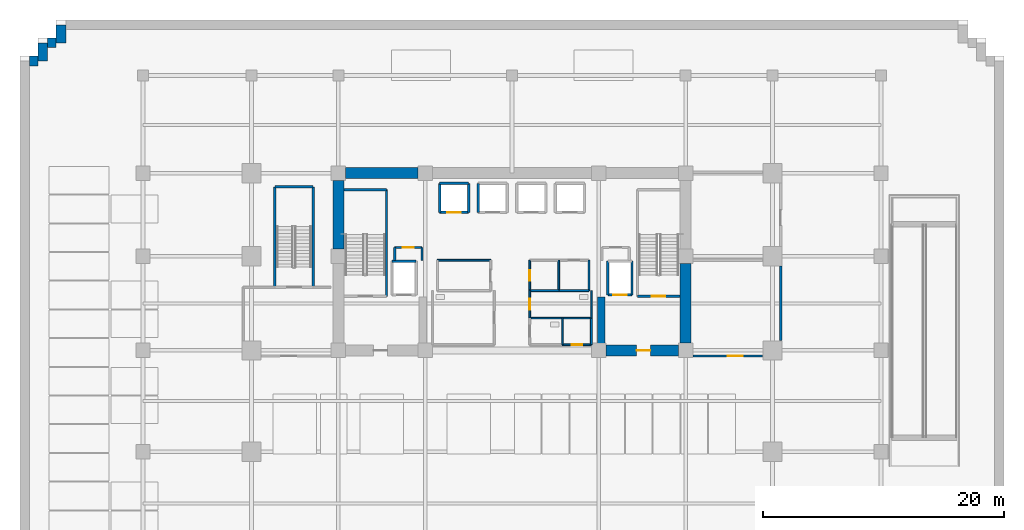
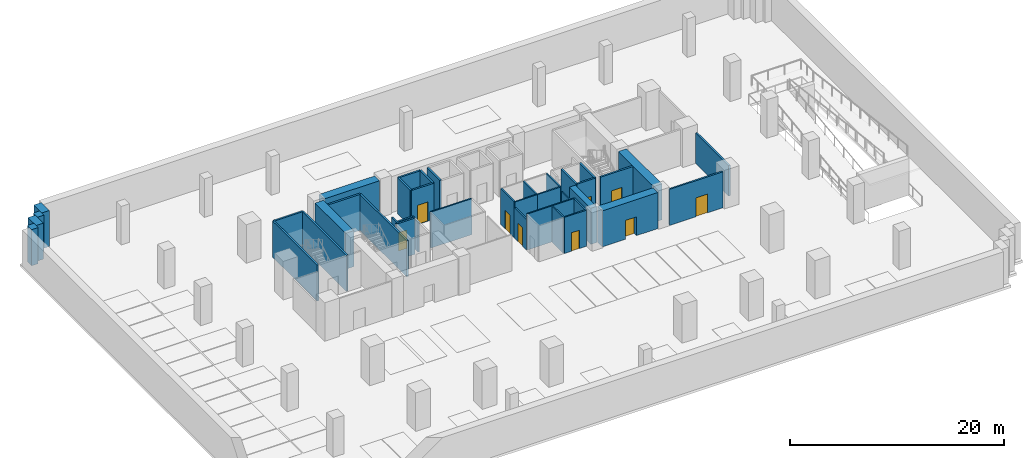
# One storey, part 4 of 13: 41 walls, 9 doors, 9 openings.
"""IFC4 building model written with IfcOpenShell, lengths in metres."""

from ifc_helpers import new_model, si_unit, direction, frame, frame_2d, origin, place, context, subcontext, project, spatial, rectangle, extrude, source, transform, mapped, material, layer, layer_set, type_object, element, fill, save


model = new_model("IFC4")

# Units and contexts
model_context = context("Model", 3, precision=1e-05, world=origin(), true_north=direction((0.0, 1.0)))
body_context = subcontext(model_context, "Body", "Model", "MODEL_VIEW")
ifc_project = project(units=[si_unit("LENGTHUNIT", "METRE"), si_unit("AREAUNIT", "SQUARE_METRE"), si_unit("VOLUMEUNIT", "CUBIC_METRE"), si_unit("PLANEANGLEUNIT", "RADIAN"), si_unit("MASSUNIT", "GRAM", prefix="KILO")], contexts=[model_context])

# Site, building, storey
site_placement = place(None, origin())
site = spatial("IfcSite", under=ifc_project, at=site_placement, CompositionType="ELEMENT")
building_placement = place(site_placement, origin())
building = spatial("IfcBuilding", under=site, at=building_placement, Name="Zarnakvel Exchange Tower", CompositionType="ELEMENT")
storey_placement = place(building_placement, frame((0.0, 0.0, -8.800048828125)))
storey = spatial("IfcBuildingStorey", under=building, at=storey_placement, Name="B02", CompositionType="ELEMENT", Elevation=-8.800048828125)

# Walls
ifc_material_1 = material(Name="Concrete C80/95", Category="concrete")
ifc_layer_1 = layer(ifc_material_1, 0.89990234375)
ifc_layer_set_1 = layer_set([ifc_layer_1], Name="Concrete C80/95")
wall_type_1 = type_object("IfcWallType", Name="CW-C1", PredefinedType="SHEAR", material=ifc_layer_set_1)
wall_1_placement = place(storey_placement, frame((-13.800048828125, 13.5, 0.0), z_axis=(0.0, 0.0, 1.0), x_axis=(1.0, 0.0, 0.0)))
element("IfcWall", 1, at=wall_1_placement, inside=storey, type_object=wall_type_1, Name="B02 Rear Core Shear Wall N1 (CW-C1)", PredefinedType="SHEAR", context=body_context, shape_type="SweptSolid", body=[
    extrude(rectangle(XDim=6.0, YDim=0.89990234375, at=frame_2d((3.0, 0.0))), origin(), (0.0, 0.0, 1.0), 4.1201171875),
])
wall_2_placement = place(storey_placement, frame((-14.39990234375, 7.199951171875, 0.0), z_axis=(0.0, 0.0, 1.0), x_axis=(0.0, 1.0, 0.0)))
element("IfcWall", 2, at=wall_2_placement, inside=storey, type_object=wall_type_1, Name="B02 Rear Core Shear Wall W2 (CW-C1)", PredefinedType="SHEAR", context=body_context, shape_type="SweptSolid", body=[
    extrude(rectangle(XDim=5.699951171875, YDim=0.89990234375, at=frame_2d((2.85009765625, 0.0))), origin(), (0.0, 0.0, 1.0), 4.1201171875),
])
wall_3_placement = place(storey_placement, frame((14.39990234375, -0.60009765625, 0.0), z_axis=(0.0, 0.0, 1.0), x_axis=(0.0, 1.0, 0.0)))
element("IfcWall", 3, at=wall_3_placement, inside=storey, type_object=wall_type_1, Name="B02 Rear Core Shear Wall E1 (CW-C1)", PredefinedType="SHEAR", context=body_context, shape_type="SweptSolid", body=[
    extrude(rectangle(XDim=6.60009765625, YDim=0.89990234375, at=frame_2d((3.300048828125, 0.0))), origin(), (0.0, 0.0, 1.0), 4.1201171875),
])

# Wall, opening, door
wall_4_placement = place(storey_placement, frame((13.800048828125, -1.199951171875, 0.0), z_axis=(0.0, 0.0, 1.0), x_axis=(-1.0, 0.0, 0.0)))
wall_4 = element("IfcWall", 4, at=wall_4_placement, inside=storey, type_object=wall_type_1, Name="B02 Rear Core Shear Wall SE (CW-C1)", PredefinedType="SHEAR", context=body_context, shape_type="SweptSolid", body=[
    extrude(rectangle(XDim=6.0, YDim=0.89990234375, at=frame_2d((3.0, 0.0))), origin(), (0.0, 0.0, 1.0), 4.1201171875),
])
opening_1_placement = place(wall_4_placement, frame((2.324951171875, 0.0, 0.0)))
opening_1 = element("IfcOpeningElement", 5, at=opening_1_placement, cuts=wall_4, Name="Opening D-B02-04", PredefinedType="OPENING", context=body_context, shape_type="SweptSolid", body=[
    extrude(rectangle(XDim=1.14990234375, YDim=2.14990234375, at=frame_2d((0.574951171875, 1.074951171875))), frame((0.0, 0.4599609375, 0.0), z_axis=(0.0, -1.0, 0.0), x_axis=(1.0, 0.0, 0.0)), (0.0, 0.0, 1.0), 0.919921875),
])
ifc_material_2 = material(Name="Painted Galvanised Steel S355", Category="steel")
door_type_1 = type_object("IfcDoorType", Name="DT-04", OperationType="NOTDEFINED", PredefinedType="DOOR", material=ifc_material_2)
shared_shape_1 = source(origin(), body_context, "Body", "SweptSolid", [
    extrude(rectangle(XDim=1.14990234375, YDim=2.14990234375, at=frame_2d((0.574951171875, 1.074951171875))), frame((0.0, 0.02490234375, 0.0), z_axis=(0.0, -1.0, 0.0), x_axis=(1.0, 0.0, 0.0)), (0.0, 0.0, 1.0), 0.050048828125),
])
door_1_placement = place(opening_1_placement, origin())
door_1 = element("IfcDoor", 6, at=door_1_placement, inside=storey, type_object=door_type_1, Name="B02 Firefighting Lobby East Door D-B02-04", OperationType="SINGLE_SWING_RIGHT", OverallHeight=2.14990234375, OverallWidth=1.14990234375, PredefinedType="DOOR", context=body_context, shape_type="MappedRepresentation", body=[
    mapped(shared_shape_1, transform((0.0, 0.0, 0.0), x_axis=(1.0, 0.0, 0.0), y_axis=(0.0, 1.0, 0.0), z_axis=(0.0, 0.0, 1.0), scale=1.0)),
])
fill(opening_1, door_1)

# Walls
ifc_layer_2 = layer(ifc_material_1, 0.64990234375)
ifc_layer_set_2 = layer_set([ifc_layer_2], Name="Concrete C80/95")
wall_type_2 = type_object("IfcWallType", Name="CW-C2", PredefinedType="SHEAR", material=ifc_layer_set_2)
wall_5_placement = place(storey_placement, frame((7.39990234375, -0.75, 0.0), z_axis=(0.0, 0.0, 1.0), x_axis=(0.0, 1.0, 0.0)))
element("IfcWall", 7, at=wall_5_placement, inside=storey, type_object=wall_type_2, Name="B02 Rear Core Shear Wall IE (CW-C2)", PredefinedType="SHEAR", context=body_context, shape_type="SweptSolid", body=[
    extrude(rectangle(XDim=4.0, YDim=0.64990234375, at=frame_2d((2.0, 0.0))), origin(), (0.0, 0.0, 1.0), 4.1201171875),
])
ifc_material_3 = material(Name="Fire-Rated Gypsum Stud Partition", Category="gypsum")
ifc_layer_3 = layer(ifc_material_3, 0.14990234375)
ifc_layer_set_3 = layer_set([ifc_layer_3], Name="Fire-Rated Gypsum Stud Partition")
wall_type_3 = type_object("IfcWallType", Name="PT-01", PredefinedType="PARTITIONING", material=ifc_layer_set_3)
wall_6_placement = place(storey_placement, frame((-6.179931640625, 6.280029296875, 0.0), z_axis=(0.0, 0.0, 1.0), x_axis=(1.0, 0.0, 0.0)))
element("IfcWall", 8, at=wall_6_placement, inside=storey, type_object=wall_type_3, Name="B02 Partition Wall PWALL-B02-014 (PT-01)", PredefinedType="PARTITIONING", context=body_context, shape_type="SweptSolid", body=[
    extrude(rectangle(XDim=4.409912109375, YDim=0.14990234375, at=frame_2d((2.205078125, 0.0))), origin(), (0.0, 0.0, 1.0), 4.1201171875),
])
wall_7_placement = place(storey_placement, frame((3.8798828125, 3.760009765625, 0.0), z_axis=(0.0, 0.0, 1.0), x_axis=(-1.0, 0.0, 0.0)))
element("IfcWall", 9, at=wall_7_placement, inside=storey, type_object=wall_type_3, Name="B02 Partition Wall PWALL-B02-017 (PT-01)", PredefinedType="PARTITIONING", context=body_context, shape_type="SweptSolid", body=[
    extrude(rectangle(XDim=2.409912109375, YDim=0.14990234375, at=frame_2d((1.205078125, 0.0))), origin(), (0.0, 0.0, 1.0), 4.1201171875),
])

# Wall, opening, door
wall_8_placement = place(storey_placement, frame((1.469970703125, 3.760009765625, 0.0), z_axis=(0.0, 0.0, 1.0), x_axis=(0.0, 1.0, 0.0)))
wall_8 = element("IfcWall", 10, at=wall_8_placement, inside=storey, type_object=wall_type_3, Name="B02 Partition Wall PWALL-B02-019 (PT-01)", PredefinedType="PARTITIONING", context=body_context, shape_type="SweptSolid", body=[
    extrude(rectangle(XDim=2.52001953125, YDim=0.14990234375, at=frame_2d((1.260009765625, 0.0))), origin(), (0.0, 0.0, 1.0), 4.1201171875),
])
opening_2_placement = place(wall_8_placement, frame((0.800048828125, 0.0, 0.0)))
opening_2 = element("IfcOpeningElement", 11, at=opening_2_placement, cuts=wall_8, Name="Opening D-B02-06", PredefinedType="OPENING", context=body_context, shape_type="SweptSolid", body=[
    extrude(rectangle(XDim=0.8798828125, YDim=2.10009765625, at=frame_2d((0.43994140625, 1.050048828125))), frame((0.0, 0.0849609375, 0.0), z_axis=(0.0, -1.0, 0.0), x_axis=(1.0, 0.0, 0.0)), (0.0, 0.0, 1.0), 0.169921875),
])
door_type_2 = type_object("IfcDoorType", Name="DT-08", OperationType="NOTDEFINED", PredefinedType="DOOR", material=ifc_material_2)
shared_shape_2 = source(origin(), body_context, "Body", "SweptSolid", [
    extrude(rectangle(XDim=0.8798828125, YDim=2.10009765625, at=frame_2d((0.43994140625, 1.050048828125))), frame((0.0, 0.02490234375, 0.0), z_axis=(0.0, -1.0, 0.0), x_axis=(1.0, 0.0, 0.0)), (0.0, 0.0, 1.0), 0.050048828125),
])
door_2_placement = place(opening_2_placement, origin())
door_2 = element("IfcDoor", 12, at=door_2_placement, inside=storey, type_object=door_type_2, Name="B02 Cleaners Store Door D-B02-06", OperationType="SINGLE_SWING_RIGHT", OverallHeight=2.10009765625, OverallWidth=0.8798828125, PredefinedType="DOOR", context=body_context, shape_type="MappedRepresentation", body=[
    mapped(shared_shape_2, transform((0.0, 0.0, 0.0), x_axis=(1.0, 0.0, 0.0), y_axis=(0.0, 1.0, 0.0), z_axis=(0.0, 0.0, 1.0), scale=1.0)),
])
fill(opening_2, door_2)

# Walls
wall_9_placement = place(storey_placement, frame((3.8798828125, 6.280029296875, 0.0), z_axis=(0.0, 0.0, 1.0), x_axis=(0.0, -1.0, 0.0)))
element("IfcWall", 13, at=wall_9_placement, inside=storey, type_object=wall_type_3, Name="B02 Partition Wall PWALL-B02-020 (PT-01)", PredefinedType="PARTITIONING", context=body_context, shape_type="SweptSolid", body=[
    extrude(rectangle(XDim=2.52001953125, YDim=0.14990234375, at=frame_2d((1.260009765625, 0.0))), origin(), (0.0, 0.0, 1.0), 4.1201171875),
])
wall_10_placement = place(storey_placement, frame((6.3798828125, 3.760009765625, 0.0), z_axis=(0.0, 0.0, 1.0), x_axis=(-1.0, 0.0, 0.0)))
element("IfcWall", 14, at=wall_10_placement, inside=storey, type_object=wall_type_3, Name="B02 Partition Wall PWALL-B02-021 (PT-01)", PredefinedType="PARTITIONING", context=body_context, shape_type="SweptSolid", body=[
    extrude(rectangle(XDim=2.5, YDim=0.14990234375, at=frame_2d((1.25, 0.0))), origin(), (0.0, 0.0, 1.0), 4.1201171875),
])
wall_11_placement = place(storey_placement, frame((6.3798828125, 6.280029296875, 0.0), z_axis=(0.0, 0.0, 1.0), x_axis=(0.0, -1.0, 0.0)))
element("IfcWall", 15, at=wall_11_placement, inside=storey, type_object=wall_type_3, Name="B02 Partition Wall PWALL-B02-023 (PT-01)", PredefinedType="PARTITIONING", context=body_context, shape_type="SweptSolid", body=[
    extrude(rectangle(XDim=2.52001953125, YDim=0.14990234375, at=frame_2d((1.260009765625, 0.0))), origin(), (0.0, 0.0, 1.0), 4.1201171875),
])

# Wall, opening, door
wall_12_placement = place(storey_placement, frame((6.580078125, -0.72998046875, 0.0), z_axis=(0.0, 0.0, 1.0), x_axis=(-1.0, 0.0, 0.0)))
wall_12 = element("IfcWall", 16, at=wall_12_placement, inside=storey, type_object=wall_type_3, Name="B02 Partition Wall PWALL-B02-033 (PT-01)", PredefinedType="PARTITIONING", context=body_context, shape_type="SweptSolid", body=[
    extrude(rectangle(XDim=2.400146484375, YDim=0.14990234375, at=frame_2d((1.2001953125, 0.0))), origin(), (0.0, 0.0, 1.0), 4.1201171875),
])
opening_3_placement = place(wall_12_placement, frame((0.760009765625, 0.0, 0.0)))
opening_3 = element("IfcOpeningElement", 17, at=opening_3_placement, cuts=wall_12, Name="Opening D-B02-11", PredefinedType="OPENING", context=body_context, shape_type="SweptSolid", body=[
    extrude(rectangle(XDim=0.8798828125, YDim=2.10009765625, at=frame_2d((0.43994140625, 1.050048828125))), frame((0.0, 0.0849609375, 0.0), z_axis=(0.0, -1.0, 0.0), x_axis=(1.0, 0.0, 0.0)), (0.0, 0.0, 1.0), 0.169921875),
])
door_3_placement = place(opening_3_placement, origin())
door_3 = element("IfcDoor", 18, at=door_3_placement, inside=storey, type_object=door_type_2, Name="B02 Cleaners Store Door D-B02-11", OperationType="SINGLE_SWING_LEFT", OverallHeight=2.10009765625, OverallWidth=0.8798828125, PredefinedType="DOOR", context=body_context, shape_type="MappedRepresentation", body=[
    mapped(shared_shape_2, transform((0.0, 0.0, 0.0), x_axis=(1.0, 0.0, 0.0), y_axis=(0.0, 1.0, 0.0), z_axis=(0.0, 0.0, 1.0), scale=1.0)),
])
fill(opening_3, door_3)

# Wall
wall_13_placement = place(storey_placement, frame((6.580078125, 1.47998046875, 0.0), z_axis=(0.0, 0.0, 1.0), x_axis=(0.0, -1.0, 0.0)))
element("IfcWall", 19, at=wall_13_placement, inside=storey, type_object=wall_type_3, Name="B02 Partition Wall PWALL-B02-034 (PT-01)", PredefinedType="PARTITIONING", context=body_context, shape_type="SweptSolid", body=[
    extrude(rectangle(XDim=2.2099609375, YDim=0.14990234375, at=frame_2d((1.10498046875, 0.0))), origin(), (0.0, 0.0, 1.0), 4.1201171875),
])

# Wall, opening, door
ifc_layer_4 = layer(ifc_material_3, 0.179931640625)
ifc_layer_set_4 = layer_set([ifc_layer_4], Name="Fire-Rated Gypsum Stud Partition")
wall_type_4 = type_object("IfcWallType", Name="PT-02", PredefinedType="PARTITIONING", material=ifc_layer_set_4)
wall_14_placement = place(storey_placement, frame((-9.72998046875, 7.330078125, 0.0), z_axis=(0.0, 0.0, 1.0), x_axis=(1.0, 0.0, 0.0)))
wall_14 = element("IfcWall", 20, at=wall_14_placement, inside=storey, type_object=wall_type_4, Name="B02 Partition Wall PWALL-B02-007 (PT-02)", PredefinedType="PARTITIONING", context=body_context, shape_type="SweptSolid", body=[
    extrude(rectangle(XDim=2.260009765625, YDim=0.179931640625, at=frame_2d((1.1298828125, 0.0))), origin(), (0.0, 0.0, 1.0), 3.41015625),
])
opening_4_placement = place(wall_14_placement, frame((0.68994140625, 0.0, 0.0)))
opening_4 = element("IfcOpeningElement", 21, at=opening_4_placement, cuts=wall_14, Name="Opening D-B02-16", PredefinedType="OPENING", context=body_context, shape_type="SweptSolid", body=[
    extrude(rectangle(XDim=0.8798828125, YDim=2.10009765625, at=frame_2d((0.43994140625, 1.050048828125))), frame((0.0, 0.099853515625, 0.0), z_axis=(0.0, -1.0, 0.0), x_axis=(1.0, 0.0, 0.0)), (0.0, 0.0, 1.0), 0.199951171875),
])
door_4_placement = place(opening_4_placement, origin())
door_4 = element("IfcDoor", 22, at=door_4_placement, inside=storey, type_object=door_type_2, Name="B02 Electrical Riser Door D-B02-16", OperationType="SINGLE_SWING_RIGHT", OverallHeight=2.10009765625, OverallWidth=0.8798828125, PredefinedType="DOOR", context=body_context, shape_type="MappedRepresentation", body=[
    mapped(shared_shape_2, transform((0.0, 0.0, 0.0), x_axis=(1.0, 0.0, 0.0), y_axis=(0.0, 1.0, 0.0), z_axis=(0.0, 0.0, 1.0), scale=1.0)),
])
fill(opening_4, door_4)

# Walls
wall_15_placement = place(storey_placement, frame((-9.72998046875, 6.239990234375, 0.0), z_axis=(0.0, 0.0, 1.0), x_axis=(0.0, 1.0, 0.0)))
element("IfcWall", 23, at=wall_15_placement, inside=storey, type_object=wall_type_4, Name="B02 Partition Wall PWALL-B02-008 (PT-02)", PredefinedType="PARTITIONING", context=body_context, shape_type="SweptSolid", body=[
    extrude(rectangle(XDim=1.090087890625, YDim=0.179931640625, at=frame_2d((0.544921875, 0.0))), origin(), (0.0, 0.0, 1.0), 4.1201171875),
])
wall_16_placement = place(storey_placement, frame((-7.469970703125, 7.330078125, 0.0), z_axis=(0.0, 0.0, 1.0), x_axis=(0.0, -1.0, 0.0)))
element("IfcWall", 24, at=wall_16_placement, inside=storey, type_object=wall_type_4, Name="B02 Partition Wall PWALL-B02-009 (PT-02)", PredefinedType="PARTITIONING", context=body_context, shape_type="SweptSolid", body=[
    extrude(rectangle(XDim=1.090087890625, YDim=0.179931640625, at=frame_2d((0.544921875, 0.0))), origin(), (0.0, 0.0, 1.0), 3.41015625),
])

# Wall, opening, door
wall_17_placement = place(storey_placement, frame((20.780029296875, -1.669921875, 0.0), z_axis=(0.0, 0.0, 1.0), x_axis=(-1.0, 0.0, 0.0)))
wall_17 = element("IfcWall", 25, at=wall_17_placement, inside=storey, type_object=wall_type_4, Name="B02 Partition Wall PWALL-B02-043 (PT-02)", PredefinedType="PARTITIONING", context=body_context, shape_type="SweptSolid", body=[
    extrude(rectangle(XDim=5.760009765625, YDim=0.179931640625, at=frame_2d((2.8798828125, 0.0))), origin(), (0.0, 0.0, 1.0), 4.1201171875),
])
opening_5_placement = place(wall_17_placement, frame((1.655029296875, 0.0, 0.0)))
opening_5 = element("IfcOpeningElement", 26, at=opening_5_placement, cuts=wall_17, Name="Opening D-B02-14", PredefinedType="OPENING", context=body_context, shape_type="SweptSolid", body=[
    extrude(rectangle(XDim=1.25, YDim=2.14990234375, at=frame_2d((0.625, 1.074951171875))), frame((0.0, 0.099853515625, 0.0), z_axis=(0.0, -1.0, 0.0), x_axis=(1.0, 0.0, 0.0)), (0.0, 0.0, 1.0), 0.199951171875),
])
door_type_3 = type_object("IfcDoorType", Name="DT-06", OperationType="NOTDEFINED", PredefinedType="DOOR", material=ifc_material_2)
shared_shape_3 = source(origin(), body_context, "Body", "SweptSolid", [
    extrude(rectangle(XDim=1.25, YDim=2.14990234375, at=frame_2d((0.625, 1.074951171875))), frame((0.0, 0.02490234375, 0.0), z_axis=(0.0, -1.0, 0.0), x_axis=(1.0, 0.0, 0.0)), (0.0, 0.0, 1.0), 0.050048828125),
])
door_5_placement = place(opening_5_placement, origin())
door_5 = element("IfcDoor", 27, at=door_5_placement, inside=storey, type_object=door_type_3, Name="B02 HV Transformer Substation Room Door D-B02-14", OperationType="SINGLE_SWING_RIGHT", OverallHeight=2.14990234375, OverallWidth=1.25, PredefinedType="DOOR", context=body_context, shape_type="MappedRepresentation", body=[
    mapped(shared_shape_3, transform((0.0, 0.0, 0.0), x_axis=(1.0, 0.0, 0.0), y_axis=(0.0, 1.0, 0.0), z_axis=(0.0, 0.0, 1.0), scale=1.0)),
])
fill(opening_5, door_5)

# Walls
wall_18_placement = place(storey_placement, frame((22.280029296875, 5.780029296875, 0.0), z_axis=(0.0, 0.0, 1.0), x_axis=(0.0, -1.0, 0.0)))
element("IfcWall", 28, at=wall_18_placement, inside=storey, type_object=wall_type_4, Name="B02 Partition Wall PWALL-B02-045 (PT-02)", PredefinedType="PARTITIONING", context=body_context, shape_type="SweptSolid", body=[
    extrude(rectangle(XDim=6.159912109375, YDim=0.179931640625, at=frame_2d((3.080078125, 0.0))), origin(), (0.0, 0.0, 1.0), 3.492919921875),
])
ifc_material_4 = material(Name="Moisture-Resistant Tile-Faced Partition", Category="gypsum")
ifc_layer_5 = layer(ifc_material_4, 0.135009765625)
ifc_layer_set_5 = layer_set([ifc_layer_5], Name="Moisture-Resistant Tile-Faced Partition")
wall_type_5 = type_object("IfcWallType", Name="PT-03", PredefinedType="PARTITIONING", material=ifc_layer_set_5)
wall_19_placement = place(storey_placement, frame((6.580078125, 1.47998046875, 0.0), z_axis=(0.0, 0.0, 1.0), x_axis=(-1.0, 0.0, 0.0)))
element("IfcWall", 29, at=wall_19_placement, inside=storey, type_object=wall_type_5, Name="B02 Partition Wall PWALL-B02-027 (PT-03)", PredefinedType="PARTITIONING", context=body_context, shape_type="SweptSolid", body=[
    extrude(rectangle(XDim=5.110107421875, YDim=0.135009765625, at=frame_2d((2.55517578125, 0.0))), origin(), (0.0, 0.0, 1.0), 4.1201171875),
])

# Wall, opening, door
wall_20_placement = place(storey_placement, frame((1.469970703125, 1.47998046875, 0.0), z_axis=(0.0, 0.0, 1.0), x_axis=(0.0, 1.0, 0.0)))
wall_20 = element("IfcWall", 30, at=wall_20_placement, inside=storey, type_object=wall_type_5, Name="B02 Partition Wall PWALL-B02-028 (PT-03)", PredefinedType="PARTITIONING", context=body_context, shape_type="SweptSolid", body=[
    extrude(rectangle(XDim=2.280029296875, YDim=0.135009765625, at=frame_2d((1.14013671875, 0.0))), origin(), (0.0, 0.0, 1.0), 3.492919921875),
])
opening_6_placement = place(wall_20_placement, frame((0.679931640625, 0.0, 0.0)))
opening_6 = element("IfcOpeningElement", 31, at=opening_6_placement, cuts=wall_20, Name="Opening D-B02-09", PredefinedType="OPENING", context=body_context, shape_type="SweptSolid", body=[
    extrude(rectangle(XDim=0.919921875, YDim=2.10009765625, at=frame_2d((0.4599609375, 1.050048828125))), frame((0.0, 0.077392578125, 0.0), z_axis=(0.0, -1.0, 0.0), x_axis=(1.0, 0.0, 0.0)), (0.0, 0.0, 1.0), 0.155029296875),
])
ifc_material_5 = material(Name="Moisture-Resistant Laminate Timber", Category="wood")
door_type_4 = type_object("IfcDoorType", Name="DT-07", OperationType="NOTDEFINED", PredefinedType="DOOR", material=ifc_material_5)
shared_shape_4 = source(origin(), body_context, "Body", "SweptSolid", [
    extrude(rectangle(XDim=0.919921875, YDim=2.10009765625, at=frame_2d((0.4599609375, 1.050048828125))), frame((0.0, 0.02490234375, 0.0), z_axis=(0.0, -1.0, 0.0), x_axis=(1.0, 0.0, 0.0)), (0.0, 0.0, 1.0), 0.050048828125),
])
door_6_placement = place(opening_6_placement, origin())
door_6 = element("IfcDoor", 32, at=door_6_placement, inside=storey, type_object=door_type_4, Name="B02 Female Toilet Door D-B02-09", OperationType="SINGLE_SWING_LEFT", OverallHeight=2.10009765625, OverallWidth=0.919921875, PredefinedType="DOOR", context=body_context, shape_type="MappedRepresentation", body=[
    mapped(shared_shape_4, transform((0.0, 0.0, 0.0), x_axis=(1.0, 0.0, 0.0), y_axis=(0.0, 1.0, 0.0), z_axis=(0.0, 0.0, 1.0), scale=1.0)),
])
fill(opening_6, door_6)

# Walls
wall_21_placement = place(storey_placement, frame((6.580078125, 3.760009765625, 0.0), z_axis=(0.0, 0.0, 1.0), x_axis=(0.0, -1.0, 0.0)))
element("IfcWall", 33, at=wall_21_placement, inside=storey, type_object=wall_type_5, Name="B02 Partition Wall PWALL-B02-029 (PT-03)", PredefinedType="PARTITIONING", context=body_context, shape_type="SweptSolid", body=[
    extrude(rectangle(XDim=2.280029296875, YDim=0.135009765625, at=frame_2d((1.14013671875, 0.0))), origin(), (0.0, 0.0, 1.0), 3.492919921875),
])
wall_22_placement = place(storey_placement, frame((4.179931640625, 1.47998046875, 0.0), z_axis=(0.0, 0.0, 1.0), x_axis=(0.0, -1.0, 0.0)))
element("IfcWall", 34, at=wall_22_placement, inside=storey, type_object=wall_type_5, Name="B02 Partition Wall PWALL-B02-032 (PT-03)", PredefinedType="PARTITIONING", context=body_context, shape_type="SweptSolid", body=[
    extrude(rectangle(XDim=2.2099609375, YDim=0.135009765625, at=frame_2d((1.10498046875, 0.0))), origin(), (0.0, 0.0, 1.0), 4.1201171875),
])
ifc_material_6 = material(Name="Concrete C50/60", Category="concrete")
ifc_layer_6 = layer(ifc_material_6, 0.800048828125)
ifc_layer_set_6 = layer_set([ifc_layer_6], Name="Concrete C50/60")
wall_type_6 = type_object("IfcWallType", Name="RW-01", PredefinedType="USERDEFINED", material=ifc_layer_set_6)
wall_23_placement = place(storey_placement, frame((-40.0, 22.800048828125, 0.0), z_axis=(0.0, 0.0, 1.0), x_axis=(1.0, 0.0, 0.0)))
element("IfcWall", 35, at=wall_23_placement, inside=storey, type_object=wall_type_6, Name="B02 Perimeter Retaining Wall RW-01 #2", ObjectType="RETAININGWALL", PredefinedType="USERDEFINED", context=body_context, shape_type="SweptSolid", body=[
    extrude(rectangle(XDim=0.699951171875, YDim=0.800048828125, at=frame_2d((0.35009765625, 0.0))), origin(), (0.0, 0.0, 1.0), 4.1201171875),
])
wall_24_placement = place(storey_placement, frame((-38.89990234375, 22.800048828125, 0.0), z_axis=(0.0, 0.0, 1.0), x_axis=(0.0, 1.0, 0.0)))
element("IfcWall", 36, at=wall_24_placement, inside=storey, type_object=wall_type_6, Name="B02 Perimeter Retaining Wall RW-01 #3", ObjectType="RETAININGWALL", PredefinedType="USERDEFINED", context=body_context, shape_type="SweptSolid", body=[
    extrude(rectangle(XDim=1.5, YDim=0.800048828125, at=frame_2d((0.75, 0.0))), origin(), (0.0, 0.0, 1.0), 4.1201171875),
])
wall_25_placement = place(storey_placement, frame((-38.5, 24.300048828125, 0.0), z_axis=(0.0, 0.0, 1.0), x_axis=(1.0, 0.0, 0.0)))
element("IfcWall", 37, at=wall_25_placement, inside=storey, type_object=wall_type_6, Name="B02 Perimeter Retaining Wall RW-01 #4", ObjectType="RETAININGWALL", PredefinedType="USERDEFINED", context=body_context, shape_type="SweptSolid", body=[
    extrude(rectangle(XDim=0.699951171875, YDim=0.800048828125, at=frame_2d((0.35009765625, 0.0))), origin(), (0.0, 0.0, 1.0), 4.1201171875),
])
wall_26_placement = place(storey_placement, frame((-37.39990234375, 24.300048828125, 0.0), z_axis=(0.0, 0.0, 1.0), x_axis=(0.0, 1.0, 0.0)))
element("IfcWall", 38, at=wall_26_placement, inside=storey, type_object=wall_type_6, Name="B02 Perimeter Retaining Wall RW-01 #5", ObjectType="RETAININGWALL", PredefinedType="USERDEFINED", context=body_context, shape_type="SweptSolid", body=[
    extrude(rectangle(XDim=1.5, YDim=0.800048828125, at=frame_2d((0.75, 0.0))), origin(), (0.0, 0.0, 1.0), 4.1201171875),
])
ifc_material_7 = material(Name="Concrete C40/50", Category="concrete")
ifc_layer_7 = layer(ifc_material_7, 0.199951171875)
ifc_layer_set_7 = layer_set([ifc_layer_7], Name="Concrete C40/50")
wall_type_7 = type_object("IfcWallType", Name="SW-01", PredefinedType="SOLIDWALL", material=ifc_layer_set_7)
wall_27_placement = place(storey_placement, frame((-9.949951171875, 6.199951171875, 0.0), z_axis=(0.0, 0.0, 1.0), x_axis=(1.0, 0.0, 0.0)))
element("IfcWall", 39, at=wall_27_placement, inside=storey, type_object=wall_type_7, Name="B02 FL-01 Hoistway Wall North", PredefinedType="SOLIDWALL", context=body_context, shape_type="SweptSolid", body=[
    extrude(rectangle(XDim=2.0, YDim=0.199951171875, at=frame_2d((1.0, 0.0))), origin(), (0.0, 0.0, 1.0), 4.1201171875),
])

# Wall, opening, door
wall_28_placement = place(storey_placement, frame((9.949951171875, 3.39990234375, 0.0), z_axis=(0.0, 0.0, 1.0), x_axis=(-1.0, 0.0, 0.0)))
wall_28 = element("IfcWall", 40, at=wall_28_placement, inside=storey, type_object=wall_type_7, Name="B02 FL-02 Hoistway Wall South", PredefinedType="SOLIDWALL", context=body_context, shape_type="SweptSolid", body=[
    extrude(rectangle(XDim=2.0, YDim=0.199951171875, at=frame_2d((1.0, 0.0))), origin(), (0.0, 0.0, 1.0), 4.1201171875),
])
opening_7_placement = place(wall_28_placement, frame((0.449951171875, 0.0, 0.0)))
opening_7 = element("IfcOpeningElement", 41, at=opening_7_placement, cuts=wall_28, Name="Opening LD-FL-02-B02", PredefinedType="OPENING", context=body_context, shape_type="SweptSolid", body=[
    extrude(rectangle(XDim=1.10009765625, YDim=2.199951171875, at=frame_2d((0.550048828125, 1.10009765625))), frame((0.0, 0.10986328125, 0.0), z_axis=(0.0, -1.0, 0.0), x_axis=(1.0, 0.0, 0.0)), (0.0, 0.0, 1.0), 0.219970703125),
])
ifc_material_8 = material(Name="Brushed Stainless Steel", Category="steel")
door_type_5 = type_object("IfcDoorType", Name="LDT-01", OperationType="NOTDEFINED", PredefinedType="DOOR", material=ifc_material_8)
shared_shape_5 = source(origin(), body_context, "Body", "SweptSolid", [
    extrude(rectangle(XDim=1.10009765625, YDim=2.199951171875, at=frame_2d((0.550048828125, 1.10009765625))), frame((0.0, 0.02490234375, 0.0), z_axis=(0.0, -1.0, 0.0), x_axis=(1.0, 0.0, 0.0)), (0.0, 0.0, 1.0), 0.050048828125),
])
door_7_placement = place(opening_7_placement, origin())
door_7 = element("IfcDoor", 42, at=door_7_placement, inside=storey, type_object=door_type_5, Name="B02 FL-02 Lift Landing Door LD-FL-02-B02", OperationType="DOUBLE_DOOR_SLIDING", OverallHeight=2.199951171875, OverallWidth=1.10009765625, PredefinedType="DOOR", context=body_context, shape_type="MappedRepresentation", body=[
    mapped(shared_shape_5, transform((0.0, 0.0, 0.0), x_axis=(1.0, 0.0, 0.0), y_axis=(0.0, 1.0, 0.0), z_axis=(0.0, 0.0, 1.0), scale=1.0)),
])
fill(opening_7, door_7)

# Walls
for number, where, z_axis, x_axis, name in (
    (43, (7.949951171875, 3.39990234375, 0.0), (0.0, 0.0, 1.0), (0.0, 1.0, 0.0), "B02 FL-02 Hoistway Wall West"),
    (44, (9.949951171875, 6.199951171875, 0.0), (0.0, 0.0, 1.0), (0.0, -1.0, 0.0), "B02 FL-02 Hoistway Wall East"),
):
    element("IfcWall", number, at=place(storey_placement, frame(where, z_axis=z_axis, x_axis=x_axis)), inside=storey, type_object=wall_type_7, Name=name, PredefinedType="SOLIDWALL", context=body_context, shape_type="SweptSolid", body=[
        extrude(rectangle(XDim=2.800048828125, YDim=0.199951171875, at=frame_2d((1.39990234375, 0.0))), origin(), (0.0, 0.0, 1.0), 4.1201171875),
    ])

# Wall, opening, door
wall_29_placement = place(storey_placement, frame((-3.60009765625, 10.25, 0.0), z_axis=(0.0, 0.0, 1.0), x_axis=(-1.0, 0.0, 0.0)))
wall_29 = element("IfcWall", 45, at=wall_29_placement, inside=storey, type_object=wall_type_7, Name="B02 PL-01 Hoistway Wall South", PredefinedType="SOLIDWALL", context=body_context, shape_type="SweptSolid", body=[
    extrude(rectangle(XDim=2.39990234375, YDim=0.199951171875, at=frame_2d((1.199951171875, 0.0))), origin(), (0.0, 0.0, 1.0), 4.1201171875),
])
opening_8_placement = place(wall_29_placement, frame((0.64990234375, 0.0, 0.0)))
opening_8 = element("IfcOpeningElement", 46, at=opening_8_placement, cuts=wall_29, Name="Opening LD-PL-01-B02", PredefinedType="OPENING", context=body_context, shape_type="SweptSolid", body=[
    extrude(rectangle(XDim=1.10009765625, YDim=2.199951171875, at=frame_2d((0.550048828125, 1.10009765625))), frame((0.0, 0.10986328125, 0.0), z_axis=(0.0, -1.0, 0.0), x_axis=(1.0, 0.0, 0.0)), (0.0, 0.0, 1.0), 0.219970703125),
])
ifc_material_9 = material(Name="Architectural Bronze Anodised Aluminium", Category="aluminium")
door_type_6 = type_object("IfcDoorType", Name="LDT-02", OperationType="NOTDEFINED", PredefinedType="DOOR", material=ifc_material_9)
door_8_placement = place(opening_8_placement, origin())
door_8 = element("IfcDoor", 47, at=door_8_placement, inside=storey, type_object=door_type_6, Name="B02 PL-01 Lift Landing Door LD-PL-01-B02", OperationType="DOUBLE_DOOR_SLIDING", OverallHeight=2.199951171875, OverallWidth=1.10009765625, PredefinedType="DOOR", context=body_context, shape_type="MappedRepresentation", body=[
    mapped(shared_shape_5, transform((0.0, 0.0, 0.0), x_axis=(1.0, 0.0, 0.0), y_axis=(0.0, 1.0, 0.0), z_axis=(0.0, 0.0, 1.0), scale=1.0)),
])
fill(opening_8, door_8)

# Walls
for number, where, z_axis, x_axis, name in (
    (48, (-6.0, 12.64990234375, 0.0), (0.0, 0.0, 1.0), (1.0, 0.0, 0.0), "B02 PL-01 Hoistway Wall North"),
    (49, (-6.0, 10.25, 0.0), (0.0, 0.0, 1.0), (0.0, 1.0, 0.0), "B02 PL-01 Hoistway Wall West"),
    (50, (-3.60009765625, 12.64990234375, 0.0), (0.0, 0.0, 1.0), (0.0, -1.0, 0.0), "B02 PL-01 Hoistway Wall East"),
    (51, (-2.800048828125, 10.25, 0.0), (0.0, 0.0, 1.0), (0.0, 1.0, 0.0), "B02 PL-02 Hoistway Wall West"),
):
    element("IfcWall", number, at=place(storey_placement, frame(where, z_axis=z_axis, x_axis=x_axis)), inside=storey, type_object=wall_type_7, Name=name, PredefinedType="SOLIDWALL", context=body_context, shape_type="SweptSolid", body=[
        extrude(rectangle(XDim=2.39990234375, YDim=0.199951171875, at=frame_2d((1.199951171875, 0.0))), origin(), (0.0, 0.0, 1.0), 4.1201171875),
    ])
ifc_layer_8 = layer(ifc_material_7, 0.199951171875)
ifc_layer_set_8 = layer_set([ifc_layer_8], Name="Concrete C40/50")
wall_type_8 = type_object("IfcWallType", Name="SW-02", PredefinedType="SOLIDWALL", material=ifc_layer_set_8)
wall_30_placement = place(storey_placement, frame((-13.929931640625, 12.1298828125, 0.0), z_axis=(0.0, 0.0, 1.0), x_axis=(1.0, 0.0, 0.0)))
element("IfcWall", 52, at=wall_30_placement, inside=storey, type_object=wall_type_8, Name="B02 Stairwell Core Wall PWALL-B02-002 (SW-02)", PredefinedType="SOLIDWALL", context=body_context, shape_type="SweptSolid", body=[
    extrude(rectangle(XDim=3.52001953125, YDim=0.199951171875, at=frame_2d((1.760009765625, 0.0))), origin(), (0.0, 0.0, 1.0), 4.1201171875),
])
wall_31_placement = place(storey_placement, frame((-10.409912109375, 12.1298828125, 0.0), z_axis=(0.0, 0.0, 1.0), x_axis=(0.0, -1.0, 0.0)))
element("IfcWall", 53, at=wall_31_placement, inside=storey, type_object=wall_type_8, Name="B02 Stairwell Core Wall PWALL-B02-003 (SW-02)", PredefinedType="SOLIDWALL", context=body_context, shape_type="SweptSolid", body=[
    extrude(rectangle(XDim=8.83984375, YDim=0.199951171875, at=frame_2d((4.419921875, 0.0))), origin(), (0.0, 0.0, 1.0), 4.1201171875),
])

# Wall, opening, door
wall_32_placement = place(storey_placement, frame((13.929931640625, 3.2900390625, 0.0), z_axis=(0.0, 0.0, 1.0), x_axis=(-1.0, 0.0, 0.0)))
wall_32 = element("IfcWall", 54, at=wall_32_placement, inside=storey, type_object=wall_type_8, Name="B02 Stairwell Core Wall PWALL-B02-004 (SW-02)", PredefinedType="SOLIDWALL", context=body_context, shape_type="SweptSolid", body=[
    extrude(rectangle(XDim=3.52001953125, YDim=0.199951171875, at=frame_2d((1.760009765625, 0.0))), origin(), (0.0, 0.0, 1.0), 4.1201171875),
])
opening_9_placement = place(wall_32_placement, frame((1.205078125, 0.0, 0.0)))
opening_9 = element("IfcOpeningElement", 55, at=opening_9_placement, cuts=wall_32, Name="Opening D-B02-02", PredefinedType="OPENING", context=body_context, shape_type="SweptSolid", body=[
    extrude(rectangle(XDim=1.14990234375, YDim=2.14990234375, at=frame_2d((0.574951171875, 1.074951171875))), frame((0.0, 0.10986328125, 0.0), z_axis=(0.0, -1.0, 0.0), x_axis=(1.0, 0.0, 0.0)), (0.0, 0.0, 1.0), 0.219970703125),
])
door_9_placement = place(opening_9_placement, origin())
door_9 = element("IfcDoor", 56, at=door_9_placement, inside=storey, type_object=door_type_1, Name="B02 Stairwell ST-02 Door D-B02-02", OperationType="SINGLE_SWING_RIGHT", OverallHeight=2.14990234375, OverallWidth=1.14990234375, PredefinedType="DOOR", context=body_context, shape_type="MappedRepresentation", body=[
    mapped(shared_shape_1, transform((0.0, 0.0, 0.0), x_axis=(1.0, 0.0, 0.0), y_axis=(0.0, 1.0, 0.0), z_axis=(0.0, 0.0, 1.0), scale=1.0)),
])
fill(opening_9, door_9)

# Walls
wall_33_placement = place(storey_placement, frame((-19.659912109375, 12.360107421875, 0.0), z_axis=(0.0, 0.0, 1.0), x_axis=(1.0, 0.0, 0.0)))
element("IfcWall", 57, at=wall_33_placement, inside=storey, type_object=wall_type_8, Name="B02 Stairwell Core Wall PWALL-B02-036 (SW-02)", PredefinedType="SOLIDWALL", context=body_context, shape_type="SweptSolid", body=[
    extrude(rectangle(XDim=3.169921875, YDim=0.199951171875, at=frame_2d((1.5849609375, 0.0))), origin(), (0.0, 0.0, 1.0), 4.1201171875),
])
for number, where, z_axis, x_axis, name in (
    (58, (-19.659912109375, 4.0400390625, 0.0), (0.0, 0.0, 1.0), (0.0, 1.0, 0.0), "B02 Stairwell Core Wall PWALL-B02-037 (SW-02)"),
    (59, (-16.489990234375, 12.360107421875, 0.0), (0.0, 0.0, 1.0), (0.0, -1.0, 0.0), "B02 Stairwell Core Wall PWALL-B02-038 (SW-02)"),
):
    element("IfcWall", number, at=place(storey_placement, frame(where, z_axis=z_axis, x_axis=x_axis)), inside=storey, type_object=wall_type_8, Name=name, PredefinedType="SOLIDWALL", context=body_context, shape_type="SweptSolid", body=[
        extrude(rectangle(XDim=8.320068359375, YDim=0.199951171875, at=frame_2d((4.16015625, 0.0))), origin(), (0.0, 0.0, 1.0), 4.1201171875),
    ])

save(model, "model.ifc")
